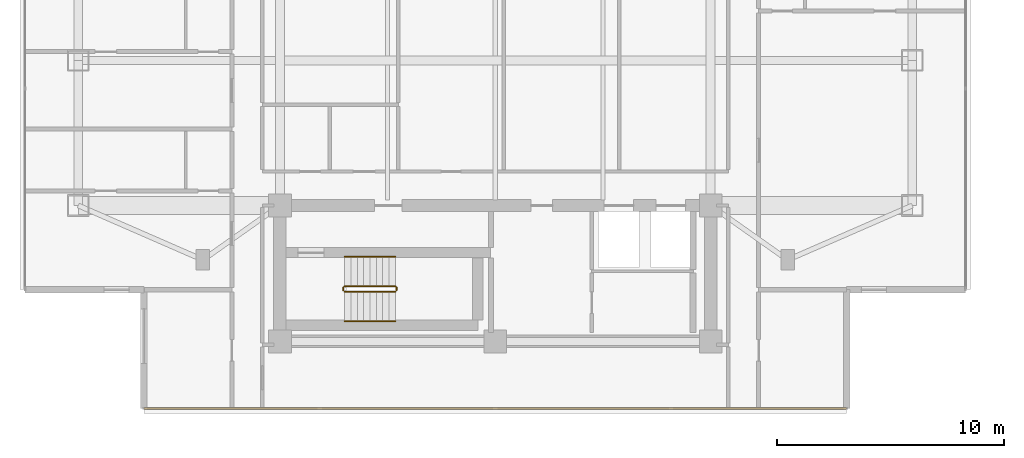
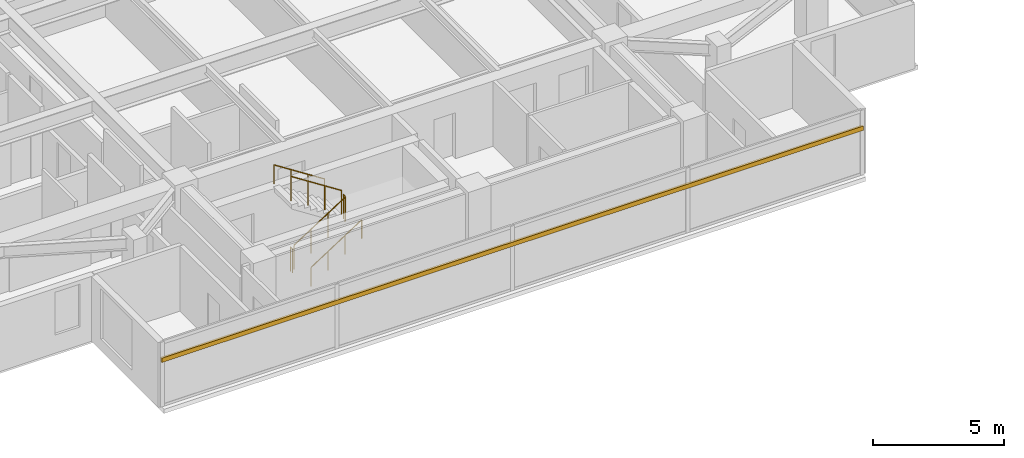
# One storey, part 19 of 24: 6 railings, 1 shading device.
"""IFC4 building model written with IfcOpenShell, lengths in metres."""

from ifc_helpers import new_model, si_unit, direction, frame, origin, origin_2d, place, context, subcontext, project, spatial, rectangle, circle, extrude, material, material_profile, profile_set, type_object, element, save


model = new_model("IFC4")

# Units and contexts
model_context = context("Model", 3, precision=1e-05, world=origin(), true_north=direction((0.0, 1.0)))
body_context = subcontext(model_context, "Body", "Model", "MODEL_VIEW")
ifc_project = project(units=[si_unit("LENGTHUNIT", "METRE"), si_unit("AREAUNIT", "SQUARE_METRE"), si_unit("VOLUMEUNIT", "CUBIC_METRE"), si_unit("PLANEANGLEUNIT", "RADIAN"), si_unit("MASSUNIT", "GRAM", prefix="KILO")], contexts=[model_context])

# Site, building, storey
site_placement = place(None, origin())
site = spatial("IfcSite", under=ifc_project, at=site_placement, CompositionType="ELEMENT")
building_placement = place(site_placement, origin())
building = spatial("IfcBuilding", under=site, at=building_placement, Name="Mirazonda Arch Towers", CompositionType="ELEMENT")
storey_placement = place(building_placement, frame((0.0, 0.0, 167.39990234375)))
storey = spatial("IfcBuildingStorey", under=building, at=storey_placement, Name="L47", CompositionType="ELEMENT", Elevation=167.39990234375)

# Shading device
ifc_material_1 = material(Name="Kiln-Fired Architectural Terracotta", Category="masonry")
ifc_material_profile = material_profile(ifc_material_1, rectangle(XDim=0.10009765625, YDim=0.199951171875, at=origin_2d()), Name="TERRA-BAG-100x200")
ifc_profile_set = profile_set([ifc_material_profile], Name="Kiln-Fired Architectural Terracotta")
shading_device_type = type_object("IfcShadingDeviceType", Name="BAGUETTE-2", PredefinedType="USERDEFINED", material=ifc_profile_set)
shading_device_placement = place(storey_placement, frame((36.0048828125, 9.43798828125, 2.181640625), z_axis=(-1.0, 0.0, 0.0), x_axis=(0.0, -1.0, 0.0)))
element("IfcShadingDevice", 1, at=shading_device_placement, inside=storey, type_object=shading_device_type, Name="L47 Glazed Terracotta Sun-Screen Baguette CW-L47-T1-S", ObjectType="BAGUETTE", PredefinedType="USERDEFINED", context=body_context, shape_type="SweptSolid", body=[
    extrude(rectangle(XDim=0.10009765625, YDim=0.199951171875, at=origin_2d()), origin(), (0.0, 0.0, 1.0), 31.009765625),
])

# Railings
ifc_material_2 = material(Name="Architectural Brushed Steel S355", Category="steel")
railing_type_1 = type_object("IfcRailingType", Name="GUARD-STAIR-1120", PredefinedType="GUARDRAIL", material=ifc_material_2)
railing_1_placement = place(storey_placement, frame((13.85009765625, 14.60009765625, 0.1806640625)))
element("IfcRailing", 2, at=railing_1_placement, inside=storey, type_object=railing_type_1, Name="L47 ST-T1S stair guard 1", PredefinedType="GUARDRAIL", context=body_context, shape_type="SweptSolid", body=[
    extrude(circle(Radius=0.02392578125, at=origin_2d()), frame((0.0, 0.0, 1.1259765625), z_axis=(0.840436612492, 0.0, 0.541909863706), x_axis=(0.0, 1.0, 0.0)), (0.0, 0.0, 1.0), 2.665283203125),
    extrude(circle(Radius=0.02099609375, at=origin_2d()), origin(), (0.0, 0.0, 1.0), 1.101806640625),
    extrude(circle(Radius=0.02099609375, at=origin_2d()), frame((0.74658203125, 0.0, 0.4814453125)), (0.0, 0.0, 1.0), 1.101806640625),
    extrude(circle(Radius=0.02099609375, at=origin_2d()), frame((1.493408203125, 0.0, 0.962890625)), (0.0, 0.0, 1.0), 1.101806640625),
    extrude(circle(Radius=0.02099609375, at=origin_2d()), frame((2.239990234375, 0.0, 1.4443359375)), (0.0, 0.0, 1.0), 1.101806640625),
])
railing_2_placement = place(storey_placement, frame((16.139892578125, 14.64990234375, 1.625)))
element("IfcRailing", 3, at=railing_2_placement, inside=storey, type_object=railing_type_1, Name="L47 ST-T1S stair guard 2", PredefinedType="GUARDRAIL", context=body_context, shape_type="SweptSolid", body=[
    extrude(circle(Radius=0.02392578125, at=origin_2d()), frame((0.0, 0.0, 1.1259765625), z_axis=(0.0, 1.0, 0.0), x_axis=(-1.0, 0.0, 0.0)), (0.0, 0.0, 1.0), 0.14013671875),
    extrude(circle(Radius=0.02099609375, at=origin_2d()), origin(), (0.0, 0.0, 1.0), 1.101806640625),
    extrude(circle(Radius=0.02099609375, at=origin_2d()), frame((0.0, 0.14013671875, 0.0)), (0.0, 0.0, 1.0), 1.101806640625),
])
railing_3_placement = place(storey_placement, frame((16.090087890625, 14.840087890625, 1.8056640625)))
element("IfcRailing", 4, at=railing_3_placement, inside=storey, type_object=railing_type_1, Name="L47 ST-T1S stair guard 3", PredefinedType="GUARDRAIL", context=body_context, shape_type="SweptSolid", body=[
    extrude(circle(Radius=0.02392578125, at=origin_2d()), frame((0.0, 0.0, 1.1259765625), z_axis=(-0.840436612492, 0.0, 0.541909863706), x_axis=(0.0, -1.0, 0.0)), (0.0, 0.0, 1.0), 2.665283203125),
    extrude(circle(Radius=0.02099609375, at=origin_2d()), origin(), (0.0, 0.0, 1.0), 1.101806640625),
    extrude(circle(Radius=0.02099609375, at=origin_2d()), frame((-0.74658203125, 0.0, 0.4814453125)), (0.0, 0.0, 1.0), 1.101806640625),
    extrude(circle(Radius=0.02099609375, at=origin_2d()), frame((-1.493408203125, 0.0, 0.962890625)), (0.0, 0.0, 1.0), 1.101806640625),
    extrude(circle(Radius=0.02099609375, at=origin_2d()), frame((-2.239990234375, 0.0, 1.4443359375)), (0.0, 0.0, 1.0), 1.101806640625),
])
railing_4_placement = place(storey_placement, frame((13.800048828125, 14.64990234375, 0.0)))
element("IfcRailing", 5, at=railing_4_placement, inside=storey, type_object=railing_type_1, Name="L47 ST-T1S stair guard 4", PredefinedType="GUARDRAIL", context=body_context, shape_type="SweptSolid", body=[
    extrude(circle(Radius=0.02392578125, at=origin_2d()), frame((0.0, 0.0, 1.1259765625), z_axis=(0.0, 1.0, 0.0), x_axis=(-1.0, 0.0, 0.0)), (0.0, 0.0, 1.0), 0.14013671875),
    extrude(circle(Radius=0.02099609375, at=origin_2d()), origin(), (0.0, 0.0, 1.0), 1.101806640625),
    extrude(circle(Radius=0.02099609375, at=origin_2d()), frame((0.0, 0.14013671875, 0.0)), (0.0, 0.0, 1.0), 1.101806640625),
])
railing_type_2 = type_object("IfcRailingType", Name="HANDRAIL-915", PredefinedType="HANDRAIL", material=ifc_material_2)
railing_5_placement = place(storey_placement, frame((13.85009765625, 13.300048828125, 0.1806640625)))
element("IfcRailing", 6, at=railing_5_placement, inside=storey, type_object=railing_type_2, Name="L47 ST-T1S stair handrail 1", PredefinedType="HANDRAIL", context=body_context, shape_type="SweptSolid", body=[
    extrude(circle(Radius=0.02392578125, at=origin_2d()), frame((0.0, 0.0, 0.8759765625), z_axis=(0.840436612492, 0.0, 0.541909863706), x_axis=(0.0, 1.0, 0.0)), (0.0, 0.0, 1.0), 2.665283203125),
    extrude(circle(Radius=0.02099609375, at=origin_2d()), origin(), (0.0, 0.0, 1.0), 0.851806640625),
    extrude(circle(Radius=0.02099609375, at=origin_2d()), frame((0.74658203125, 0.0, 0.4814453125)), (0.0, 0.0, 1.0), 0.851806640625),
    extrude(circle(Radius=0.02099609375, at=origin_2d()), frame((1.493408203125, 0.0, 0.962890625)), (0.0, 0.0, 1.0), 0.851806640625),
    extrude(circle(Radius=0.02099609375, at=origin_2d()), frame((2.239990234375, 0.0, 1.4443359375)), (0.0, 0.0, 1.0), 0.851806640625),
])
railing_6_placement = place(storey_placement, frame((16.090087890625, 16.139892578125, 1.8056640625)))
element("IfcRailing", 7, at=railing_6_placement, inside=storey, type_object=railing_type_2, Name="L47 ST-T1S stair handrail 2", PredefinedType="HANDRAIL", context=body_context, shape_type="SweptSolid", body=[
    extrude(circle(Radius=0.02392578125, at=origin_2d()), frame((0.0, 0.0, 0.8759765625), z_axis=(-0.840436612492, 0.0, 0.541909863706), x_axis=(0.0, -1.0, 0.0)), (0.0, 0.0, 1.0), 2.665283203125),
    extrude(circle(Radius=0.02099609375, at=origin_2d()), origin(), (0.0, 0.0, 1.0), 0.851806640625),
    extrude(circle(Radius=0.02099609375, at=origin_2d()), frame((-0.74658203125, 0.0, 0.4814453125)), (0.0, 0.0, 1.0), 0.851806640625),
    extrude(circle(Radius=0.02099609375, at=origin_2d()), frame((-1.493408203125, 0.0, 0.962890625)), (0.0, 0.0, 1.0), 0.851806640625),
    extrude(circle(Radius=0.02099609375, at=origin_2d()), frame((-2.239990234375, 0.0, 1.4443359375)), (0.0, 0.0, 1.0), 0.851806640625),
])

save(model, "model.ifc")
